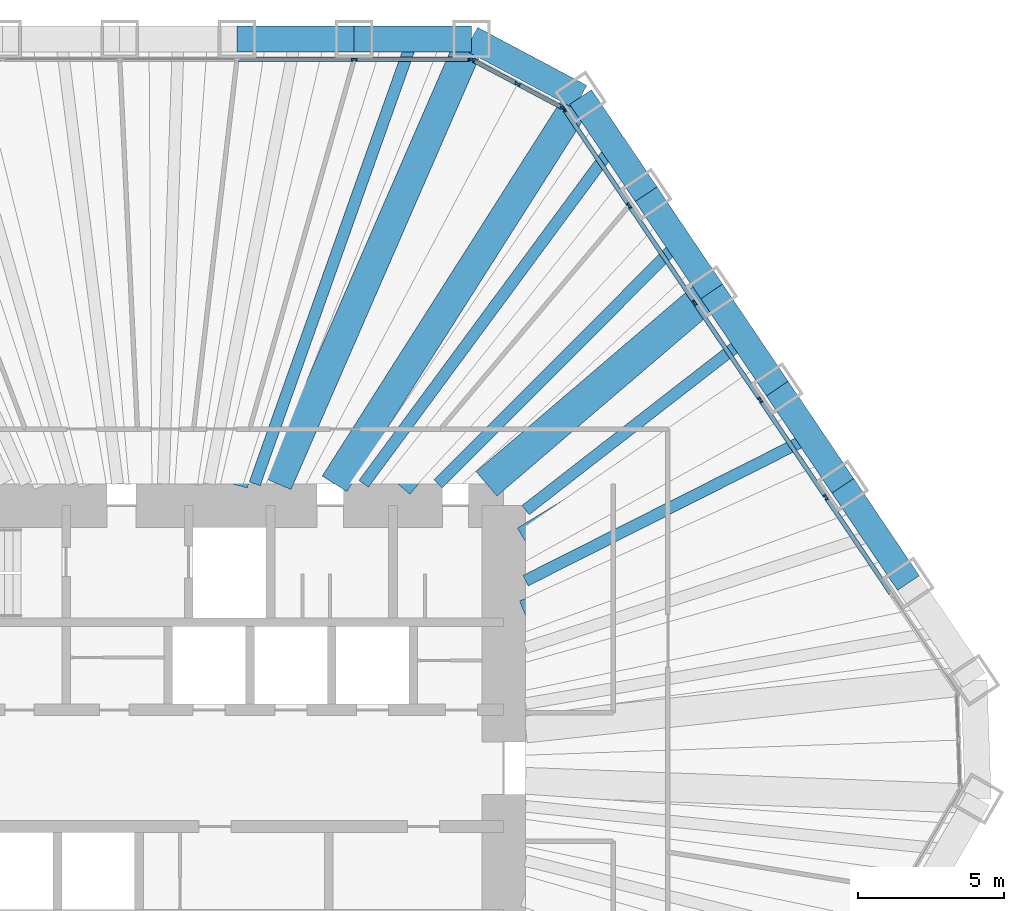
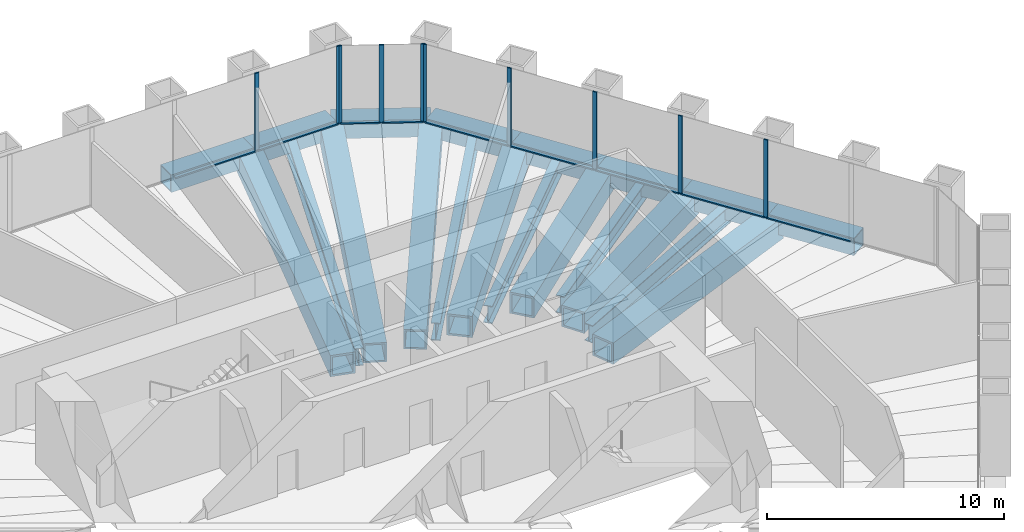
# One storey, part 6 of 12: 20 beams, 19 members, 3 elements without a shape of their own.
"""IFC4 building model written with IfcOpenShell, lengths in metres."""

from ifc_helpers import new_model, si_unit, direction, frame, origin, origin_2d, place, context, subcontext, project, spatial, rectangle, hollow_rectangle, i_section, extrude, material, material_profile, profile_set, type_object, element, aggregate, save


model = new_model("IFC4")

# Units and contexts
model_context = context("Model", 3, precision=1e-05, world=origin(), true_north=direction((0.0, 1.0)))
body_context = subcontext(model_context, "Body", "Model", "MODEL_VIEW")
ifc_project = project(units=[si_unit("LENGTHUNIT", "METRE"), si_unit("AREAUNIT", "SQUARE_METRE"), si_unit("VOLUMEUNIT", "CUBIC_METRE"), si_unit("PLANEANGLEUNIT", "RADIAN"), si_unit("MASSUNIT", "GRAM", prefix="KILO")], contexts=[model_context])

# Site, building, storey
site_placement = place(None, origin())
site = spatial("IfcSite", under=ifc_project, at=site_placement, CompositionType="ELEMENT")
building_placement = place(site_placement, origin())
building = spatial("IfcBuilding", under=site, at=building_placement, Name="Qingtian Harvest Tower", CompositionType="ELEMENT")
storey_placement = place(building_placement, frame((0.0, 0.0, 107.199951171875)))
storey = spatial("IfcBuildingStorey", under=building, at=storey_placement, Name="L21", CompositionType="ELEMENT", Elevation=107.199951171875)

# Beams
ifc_material_1 = material(Name="Steel SN490B", Category="steel")
ifc_material_profile_1 = material_profile(ifc_material_1, i_section(OverallWidth=0.39990234375, OverallDepth=0.89990234375, WebThickness=0.01904296875, FlangeThickness=0.035888671875, at=origin_2d()), Name="H900x400x19x36")
ifc_profile_set_1 = profile_set([ifc_material_profile_1], Name="Steel SN490B")
beam_type_1 = type_object("IfcBeamType", Name="Floor joist J4 H900x400x19x36", PredefinedType="JOIST", material=ifc_profile_set_1)
beam_1_placement = place(storey_placement, frame((8.88330078125, 25.0, -0.619873046875), z_axis=(-0.334829909573, -0.94227858495, 0.0), x_axis=(0.94227858495, -0.334829909573, 0.0)))
element("IfcBeam", 1, at=beam_1_placement, inside=storey, type_object=beam_type_1, Name="Floor joist J4 N5", PredefinedType="JOIST", context=body_context, shape_type="SweptSolid", body=[
    extrude(i_section(OverallWidth=0.39990234375, OverallDepth=0.89990234375, WebThickness=0.01904296875, FlangeThickness=0.035888671875, at=origin_2d()), origin(), (0.0, 0.0, 1.0), 16.18408203125),
])
beam_2_placement = place(storey_placement, frame((15.758544921875, 21.34423828125, -0.619873046875), z_axis=(-0.593960386058, -0.804494288229, 0.0), x_axis=(0.804494288229, -0.593960386058, 0.0)))
element("IfcBeam", 2, at=beam_2_placement, inside=storey, type_object=beam_type_1, Name="Floor joist J4 NE0", PredefinedType="JOIST", context=body_context, shape_type="SweptSolid", body=[
    extrude(i_section(OverallWidth=0.39990234375, OverallDepth=0.89990234375, WebThickness=0.01904296875, FlangeThickness=0.035888671875, at=origin_2d()), origin(), (0.0, 0.0, 1.0), 14.411865234375),
])
beam_3_placement = place(storey_placement, frame((18.005859375, 18.012451171875, -0.619873046875), z_axis=(-0.706970932755, -0.707242603524, 0.0), x_axis=(0.707242603524, -0.706970932755, 0.0)))
element("IfcBeam", 3, at=beam_3_placement, inside=storey, type_object=beam_type_1, Name="Floor joist J4 NE1", PredefinedType="JOIST", context=body_context, shape_type="SweptSolid", body=[
    extrude(i_section(OverallWidth=0.39990234375, OverallDepth=0.89990234375, WebThickness=0.01904296875, FlangeThickness=0.035888671875, at=origin_2d()), origin(), (0.0, 0.0, 1.0), 11.6826171875),
])
beam_4_placement = place(storey_placement, frame((20.25341796875, 14.680419921875, -0.619873046875), z_axis=(-0.789641272199, -0.61356879096, 0.0), x_axis=(0.61356879096, -0.789641272199, 0.0)))
element("IfcBeam", 4, at=beam_4_placement, inside=storey, type_object=beam_type_1, Name="Floor joist J4 NE2", PredefinedType="JOIST", context=body_context, shape_type="SweptSolid", body=[
    extrude(i_section(OverallWidth=0.39990234375, OverallDepth=0.89990234375, WebThickness=0.01904296875, FlangeThickness=0.035888671875, at=origin_2d()), origin(), (0.0, 0.0, 1.0), 9.502197265625),
])
beam_5_placement = place(storey_placement, frame((22.500732421875, 11.348388671875, -0.619873046875), z_axis=(-0.892861323685, -0.450331718478, 0.0), x_axis=(0.450331718478, -0.892861323685, 0.0)))
element("IfcBeam", 5, at=beam_5_placement, inside=storey, type_object=beam_type_1, Name="Floor joist J4 NE3", PredefinedType="JOIST", context=body_context, shape_type="SweptSolid", body=[
    extrude(i_section(OverallWidth=0.39990234375, OverallDepth=0.89990234375, WebThickness=0.01904296875, FlangeThickness=0.035888671875, at=origin_2d()), origin(), (0.0, 0.0, 1.0), 10.920654296875),
])

# Curtain wall, members
ifc_material_2 = material(Name="Bronze-anodised aluminium curtain wall", Category="aluminium")
curtain_wall_type = type_object("IfcCurtainWallType", Name="Curtain wall CW4 office", PredefinedType="USERDEFINED", material=ifc_material_2)
curtain_wall_1_placement = place(storey_placement, origin())
curtain_wall_1 = element("IfcCurtainWall", 6, at=curtain_wall_1_placement, inside=storey, type_object=curtain_wall_type, Name="Curtain wall CW4 L21 N0-5", ObjectType="RECESSED CURTAIN WALL", PredefinedType="USERDEFINED")
ifc_material_3 = material(Name="Bronze-anodised aluminium mullion", Category="aluminium")
ifc_material_profile_2 = material_profile(ifc_material_3, rectangle(XDim=0.06494140625, YDim=0.199951171875, at=origin_2d()), Name="AL 65x200")
ifc_profile_set_2 = profile_set([ifc_material_profile_2], Name="Bronze-anodised aluminium mullion")
member_type_1 = type_object("IfcMemberType", Name="Mullion CWM 65x200", PredefinedType="MULLION", material=ifc_profile_set_2)
member_1_placement = place(storey_placement, frame((6.873779296875, 24.300048828125, 0.0), z_axis=(0.0, 0.0, 1.0), x_axis=(0.0, 1.0, 0.0)))
member_1 = element("IfcMember", 7, at=member_1_placement, type_object=member_type_1, Name="CW4 mullion 6", PredefinedType="MULLION", context=body_context, shape_type="SweptSolid", body=[
    extrude(rectangle(XDim=0.06494140625, YDim=0.199951171875, at=origin_2d()), origin(), (0.0, 0.0, 1.0), 4.030029296875),
])
member_2_placement = place(storey_placement, frame((10.8603515625, 24.300048828125, 0.0), z_axis=(0.0, 0.0, 1.0), x_axis=(0.0, 1.0, 0.0)))
member_2 = element("IfcMember", 8, at=member_2_placement, type_object=member_type_1, Name="CW4 mullion 7", PredefinedType="MULLION", context=body_context, shape_type="SweptSolid", body=[
    extrude(rectangle(XDim=0.06494140625, YDim=0.199951171875, at=origin_2d()), origin(), (0.0, 0.0, 1.0), 4.030029296875),
])

curtain_wall_2_placement = place(storey_placement, origin())
curtain_wall_2 = element("IfcCurtainWall", 9, at=curtain_wall_2_placement, inside=storey, type_object=curtain_wall_type, Name="Curtain wall CW4 L21 NC", ObjectType="RECESSED CURTAIN WALL", PredefinedType="USERDEFINED")
member_3_placement = place(storey_placement, frame((10.92138671875, 24.28466796875, 0.0), z_axis=(0.0, 0.0, 1.0), x_axis=(0.469471562786, 0.882947592859, 0.0)))
member_3 = element("IfcMember", 10, at=member_3_placement, type_object=member_type_1, Name="CW4 mullion 1", PredefinedType="MULLION", context=body_context, shape_type="SweptSolid", body=[
    extrude(rectangle(XDim=0.06494140625, YDim=0.199951171875, at=origin_2d()), origin(), (0.0, 0.0, 1.0), 4.030029296875),
])
member_4_placement = place(storey_placement, frame((12.4736328125, 23.45947265625, 0.0), z_axis=(0.0, 0.0, 1.0), x_axis=(0.469471562786, 0.882947592859, 0.0)))
member_4 = element("IfcMember", 11, at=member_4_placement, type_object=member_type_1, Name="CW4 mullion 2", PredefinedType="MULLION", context=body_context, shape_type="SweptSolid", body=[
    extrude(rectangle(XDim=0.06494140625, YDim=0.199951171875, at=origin_2d()), origin(), (0.0, 0.0, 1.0), 4.030029296875),
])
member_5_placement = place(storey_placement, frame((14.02587890625, 22.634033203125, 0.0), z_axis=(0.0, 0.0, 1.0), x_axis=(0.469471562786, 0.882947592859, 0.0)))
member_5 = element("IfcMember", 12, at=member_5_placement, type_object=member_type_1, Name="CW4 mullion 3", PredefinedType="MULLION", context=body_context, shape_type="SweptSolid", body=[
    extrude(rectangle(XDim=0.06494140625, YDim=0.199951171875, at=origin_2d()), origin(), (0.0, 0.0, 1.0), 4.030029296875),
])

curtain_wall_3_placement = place(storey_placement, origin())
curtain_wall_3 = element("IfcCurtainWall", 13, at=curtain_wall_3_placement, inside=storey, type_object=curtain_wall_type, Name="Curtain wall CW4 L21 NE0-5", ObjectType="RECESSED CURTAIN WALL", PredefinedType="USERDEFINED")
member_6_placement = place(storey_placement, frame((14.07275390625, 22.592041015625, 0.0), z_axis=(0.0, 0.0, 1.0), x_axis=(0.829037572555, 0.559192903471, 0.0)))
member_6 = element("IfcMember", 14, at=member_6_placement, type_object=member_type_1, Name="CW4 mullion 1", PredefinedType="MULLION", context=body_context, shape_type="SweptSolid", body=[
    extrude(rectangle(XDim=0.06494140625, YDim=0.199951171875, at=origin_2d()), origin(), (0.0, 0.0, 1.0), 4.030029296875),
])
member_7_placement = place(storey_placement, frame((16.302001953125, 19.286865234375, 0.0), z_axis=(0.0, 0.0, 1.0), x_axis=(0.829037572555, 0.559192903471, 0.0)))
member_7 = element("IfcMember", 15, at=member_7_placement, type_object=member_type_1, Name="CW4 mullion 2", PredefinedType="MULLION", context=body_context, shape_type="SweptSolid", body=[
    extrude(rectangle(XDim=0.06494140625, YDim=0.199951171875, at=origin_2d()), origin(), (0.0, 0.0, 1.0), 4.030029296875),
])
member_8_placement = place(storey_placement, frame((18.54931640625, 15.954833984375, 0.0), z_axis=(0.0, 0.0, 1.0), x_axis=(0.829037572555, 0.559192903471, 0.0)))
member_8 = element("IfcMember", 16, at=member_8_placement, type_object=member_type_1, Name="CW4 mullion 3", PredefinedType="MULLION", context=body_context, shape_type="SweptSolid", body=[
    extrude(rectangle(XDim=0.06494140625, YDim=0.199951171875, at=origin_2d()), origin(), (0.0, 0.0, 1.0), 4.030029296875),
])
member_9_placement = place(storey_placement, frame((20.796875, 12.623046875, 0.0), z_axis=(0.0, 0.0, 1.0), x_axis=(0.829037572555, 0.559192903471, 0.0)))
member_9 = element("IfcMember", 17, at=member_9_placement, type_object=member_type_1, Name="CW4 mullion 4", PredefinedType="MULLION", context=body_context, shape_type="SweptSolid", body=[
    extrude(rectangle(XDim=0.06494140625, YDim=0.199951171875, at=origin_2d()), origin(), (0.0, 0.0, 1.0), 4.030029296875),
])
member_10_placement = place(storey_placement, frame((23.044189453125, 9.291015625, 0.0), z_axis=(0.0, 0.0, 1.0), x_axis=(0.829037572555, 0.559192903471, 0.0)))
member_10 = element("IfcMember", 18, at=member_10_placement, type_object=member_type_1, Name="CW4 mullion 5", PredefinedType="MULLION", context=body_context, shape_type="SweptSolid", body=[
    extrude(rectangle(XDim=0.06494140625, YDim=0.199951171875, at=origin_2d()), origin(), (0.0, 0.0, 1.0), 4.030029296875),
])

# Beams
ifc_material_4 = material(Name="Steel SM570MC", Category="steel")
ifc_material_profile_3 = material_profile(ifc_material_4, hollow_rectangle(XDim=1.0, YDim=1.0, WallThickness=0.080078125, at=origin_2d()), Name="BOX1000x1000x80")
ifc_profile_set_3 = profile_set([ifc_material_profile_3], Name="Steel SM570MC")
beam_type_2 = type_object("IfcBeamType", Name="Transfer corner beam FB11 BOX1000x1000x80", PredefinedType="BEAM", material=ifc_profile_set_3)
beam_6_placement = place(storey_placement, frame((10.892822265625, 25.0, -0.669921875), z_axis=(-0.399451016538, -0.916754539333, 0.0), x_axis=(0.916754539333, -0.399451016538, 0.0)))
element("IfcBeam", 19, at=beam_6_placement, inside=storey, type_object=beam_type_2, Name="Floor beam FB11 N6", PredefinedType="BEAM", context=body_context, shape_type="SweptSolid", body=[
    extrude(hollow_rectangle(XDim=1.0, YDim=1.0, WallThickness=0.080078125, at=origin_2d()), origin(), (0.0, 0.0, 1.0), 16.634765625),
])
beam_7_placement = place(storey_placement, frame((14.634765625, 23.01025390625, -0.669921875), z_axis=(-0.536660352939, -0.843798355997, 0.0), x_axis=(0.843798355997, -0.536660352939, 0.0)))
element("IfcBeam", 20, at=beam_7_placement, inside=storey, type_object=beam_type_2, Name="Floor beam FB11 NE0", PredefinedType="BEAM", context=body_context, shape_type="SweptSolid", body=[
    extrude(hollow_rectangle(XDim=1.0, YDim=1.0, WallThickness=0.080078125, at=origin_2d()), origin(), (0.0, 0.0, 1.0), 15.71484375),
])
ifc_material_5 = material(Name="Steel SM570MC", Category="steel")
ifc_material_profile_4 = material_profile(ifc_material_5, hollow_rectangle(XDim=1.10009765625, YDim=1.10009765625, WallThickness=0.10009765625, at=origin_2d()), Name="BOX1100x1100x100")
ifc_profile_set_4 = profile_set([ifc_material_profile_4], Name="Steel SM570MC")
beam_type_3 = type_object("IfcBeamType", Name="Transfer floor beam FB9 BOX1100x1100x100", PredefinedType="BEAM", material=ifc_profile_set_4)
beam_8_placement = place(storey_placement, frame((6.873779296875, 25.0, -0.719970703125), z_axis=(-0.265119170108, -0.964215653078, 0.0), x_axis=(0.964215653078, -0.265119170108, 0.0)))
element("IfcBeam", 21, at=beam_8_placement, inside=storey, type_object=beam_type_3, Name="Floor beam FB9 N5", PredefinedType="BEAM", context=body_context, shape_type="SweptSolid", body=[
    extrude(hollow_rectangle(XDim=1.10009765625, YDim=1.10009765625, WallThickness=0.10009765625, at=origin_2d()), origin(), (0.0, 0.0, 1.0), 15.81591796875),
])
beam_9_placement = place(storey_placement, frame((16.88232421875, 19.67822265625, -0.719970703125), z_axis=(-0.651140196702, -0.758957471957, 0.0), x_axis=(0.758957471957, -0.651140196702, 0.0)))
element("IfcBeam", 22, at=beam_9_placement, inside=storey, type_object=beam_type_3, Name="Floor beam FB9 NE1", PredefinedType="BEAM", context=body_context, shape_type="SweptSolid", body=[
    extrude(hollow_rectangle(XDim=1.10009765625, YDim=1.10009765625, WallThickness=0.10009765625, at=origin_2d()), origin(), (0.0, 0.0, 1.0), 13.081298828125),
])
beam_10_placement = place(storey_placement, frame((19.129638671875, 16.346435546875, -0.719970703125), z_axis=(-0.760241810635, -0.649640199928, 0.0), x_axis=(0.649640199928, -0.760241810635, 0.0)))
element("IfcBeam", 23, at=beam_10_placement, inside=storey, type_object=beam_type_3, Name="Floor beam FB9 NE2", PredefinedType="BEAM", context=body_context, shape_type="SweptSolid", body=[
    extrude(hollow_rectangle(XDim=1.10009765625, YDim=1.10009765625, WallThickness=0.10009765625, at=origin_2d()), origin(), (0.0, 0.0, 1.0), 10.154052734375),
])
beam_11_placement = place(storey_placement, frame((21.377197265625, 13.014404296875, -0.719970703125), z_axis=(-0.854160745245, -0.520009058846, 0.0), x_axis=(0.520009058846, -0.854160745245, 0.0)))
element("IfcBeam", 24, at=beam_11_placement, inside=storey, type_object=beam_type_3, Name="Floor beam FB9 NE3", PredefinedType="BEAM", context=body_context, shape_type="SweptSolid", body=[
    extrude(hollow_rectangle(XDim=1.10009765625, YDim=1.10009765625, WallThickness=0.10009765625, at=origin_2d()), origin(), (0.0, 0.0, 1.0), 10.10009765625),
])
beam_12_placement = place(storey_placement, frame((23.62451171875, 9.682373046875, -0.719970703125), z_axis=(-0.925304541163, -0.379224875375, 0.0), x_axis=(0.379224875375, -0.925304541163, 0.0)))
element("IfcBeam", 25, at=beam_12_placement, inside=storey, type_object=beam_type_3, Name="Floor beam FB9 NE4", PredefinedType="BEAM", context=body_context, shape_type="SweptSolid", body=[
    extrude(hollow_rectangle(XDim=1.10009765625, YDim=1.10009765625, WallThickness=0.10009765625, at=origin_2d()), origin(), (0.0, 0.0, 1.0), 11.75244140625),
])
ifc_material_6 = material(Name="Steel SM570MC", Category="steel")
ifc_material_profile_5 = material_profile(ifc_material_6, hollow_rectangle(XDim=0.89990234375, YDim=0.89990234375, WallThickness=0.050048828125, at=origin_2d()), Name="BOX900x900x50")
ifc_profile_set_5 = profile_set([ifc_material_profile_5], Name="Steel SM570MC")
beam_type_4 = type_object("IfcBeamType", Name="Transition spandrel SB6 BOX900x900x50", PredefinedType="SPANDREL", material=ifc_profile_set_5)
beam_13_placement = place(storey_placement, frame((2.8544921875, 25.0, -0.449951171875), z_axis=(1.0, 0.0, 0.0), x_axis=(0.0, 1.0, 0.0)))
element("IfcBeam", 26, at=beam_13_placement, inside=storey, type_object=beam_type_4, Name="Spandrel SB6 N4", PredefinedType="SPANDREL", context=body_context, shape_type="SweptSolid", body=[
    extrude(hollow_rectangle(XDim=0.89990234375, YDim=0.89990234375, WallThickness=0.050048828125, at=origin_2d()), origin(), (0.0, 0.0, 1.0), 4.019287109375),
])
beam_14_placement = place(storey_placement, frame((6.873779296875, 25.0, -0.449951171875), z_axis=(1.0, 0.0, 0.0), x_axis=(0.0, 1.0, 0.0)))
element("IfcBeam", 27, at=beam_14_placement, inside=storey, type_object=beam_type_4, Name="Spandrel SB6 N5", PredefinedType="SPANDREL", context=body_context, shape_type="SweptSolid", body=[
    extrude(hollow_rectangle(XDim=0.89990234375, YDim=0.89990234375, WallThickness=0.050048828125, at=origin_2d()), origin(), (0.0, 0.0, 1.0), 4.01904296875),
])
beam_15_placement = place(storey_placement, frame((10.892822265625, 25.0, -0.449951171875), z_axis=(0.882935902835, -0.469493547863, 0.0), x_axis=(0.469493547863, 0.882935902835, 0.0)))
element("IfcBeam", 28, at=beam_15_placement, inside=storey, type_object=beam_type_4, Name="Spandrel SB6 NC", PredefinedType="SPANDREL", context=body_context, shape_type="SweptSolid", body=[
    extrude(hollow_rectangle(XDim=0.89990234375, YDim=0.89990234375, WallThickness=0.050048828125, at=origin_2d()), origin(), (0.0, 0.0, 1.0), 4.238037109375),
])
beam_16_placement = place(storey_placement, frame((14.634765625, 23.01025390625, -0.449951171875), z_axis=(0.559205752254, -0.829028905796, 0.0), x_axis=(0.829028905796, 0.559205752254, 0.0)))
element("IfcBeam", 29, at=beam_16_placement, inside=storey, type_object=beam_type_4, Name="Spandrel SB6 NE0", PredefinedType="SPANDREL", context=body_context, shape_type="SweptSolid", body=[
    extrude(hollow_rectangle(XDim=0.89990234375, YDim=0.89990234375, WallThickness=0.050048828125, at=origin_2d()), origin(), (0.0, 0.0, 1.0), 4.019287109375),
])
beam_17_placement = place(storey_placement, frame((16.88232421875, 19.67822265625, -0.449951171875), z_axis=(0.55919216322, -0.82903807186, 0.0), x_axis=(0.82903807186, 0.55919216322, 0.0)))
element("IfcBeam", 30, at=beam_17_placement, inside=storey, type_object=beam_type_4, Name="Spandrel SB6 NE1", PredefinedType="SPANDREL", context=body_context, shape_type="SweptSolid", body=[
    extrude(hollow_rectangle(XDim=0.89990234375, YDim=0.89990234375, WallThickness=0.050048828125, at=origin_2d()), origin(), (0.0, 0.0, 1.0), 4.018798828125),
])
beam_18_placement = place(storey_placement, frame((19.129638671875, 16.346435546875, -0.449951171875), z_axis=(0.559205752254, -0.829028905796, 0.0), x_axis=(0.829028905796, 0.559205752254, 0.0)))
element("IfcBeam", 31, at=beam_18_placement, inside=storey, type_object=beam_type_4, Name="Spandrel SB6 NE2", PredefinedType="SPANDREL", context=body_context, shape_type="SweptSolid", body=[
    extrude(hollow_rectangle(XDim=0.89990234375, YDim=0.89990234375, WallThickness=0.050048828125, at=origin_2d()), origin(), (0.0, 0.0, 1.0), 4.019287109375),
])
for number, where, z_axis, x_axis, name in (
    (32, (21.377197265625, 13.014404296875, -0.449951171875), (0.55916400171, -0.829057066306, 0.0), (0.829057066306, 0.55916400171, 0.0), "Spandrel SB6 NE3"),
    (33, (23.62451171875, 9.682373046875, -0.449951171875), (0.559233913953, -0.829009909159, 0.0), (0.829009909159, 0.559233913953, 0.0), "Spandrel SB6 NE4"),
):
    element("IfcBeam", number, at=place(storey_placement, frame(where, z_axis=z_axis, x_axis=x_axis)), inside=storey, type_object=beam_type_4, Name=name, PredefinedType="SPANDREL", context=body_context, shape_type="SweptSolid", body=[
        extrude(hollow_rectangle(XDim=0.89990234375, YDim=0.89990234375, WallThickness=0.050048828125, at=origin_2d()), origin(), (0.0, 0.0, 1.0), 4.01904296875),
    ])

# Member
ifc_material_7 = material(Name="Bronze-anodised aluminium transom", Category="aluminium")
ifc_material_profile_6 = material_profile(ifc_material_7, rectangle(XDim=0.14990234375, YDim=0.06494140625, at=origin_2d()), Name="AL 65x150")
ifc_profile_set_6 = profile_set([ifc_material_profile_6], Name="Bronze-anodised aluminium transom")
member_type_2 = type_object("IfcMemberType", Name="Transom CWT 65x150", PredefinedType="USERDEFINED", material=ifc_profile_set_6)
member_11_placement = place(storey_placement, frame((2.886962890625, 24.300048828125, 0.032470703125), z_axis=(1.0, 0.0, 0.0), x_axis=(0.0, 1.0, 0.0)))
member_11 = element("IfcMember", 34, at=member_11_placement, type_object=member_type_2, Name="CW4 transom 5.1", ObjectType="TRANSOM", PredefinedType="USERDEFINED", context=body_context, shape_type="SweptSolid", body=[
    extrude(rectangle(XDim=0.14990234375, YDim=0.06494140625, at=origin_2d()), origin(), (0.0, 0.0, 1.0), 3.9541015625),
])

member_12_placement = place(storey_placement, frame((6.90625, 24.300048828125, 0.032470703125), z_axis=(1.0, 0.0, 0.0), x_axis=(0.0, 1.0, 0.0)))
member_12 = element("IfcMember", 35, at=member_12_placement, type_object=member_type_2, Name="CW4 transom 6.1", ObjectType="TRANSOM", PredefinedType="USERDEFINED", context=body_context, shape_type="SweptSolid", body=[
    extrude(rectangle(XDim=0.14990234375, YDim=0.06494140625, at=origin_2d()), origin(), (0.0, 0.0, 1.0), 3.92138671875),
])

aggregate(curtain_wall_1, [member_1, member_2, member_11, member_12])

member_13_placement = place(storey_placement, frame((10.9501953125, 24.26953125, 0.032470703125), z_axis=(0.882895287784, -0.469569921108, 0.0), x_axis=(0.469569921108, 0.882895287784, 0.0)))
member_13 = element("IfcMember", 36, at=member_13_placement, type_object=member_type_2, Name="CW4 transom 1.1", ObjectType="TRANSOM", PredefinedType="USERDEFINED", context=body_context, shape_type="SweptSolid", body=[
    extrude(rectangle(XDim=0.14990234375, YDim=0.06494140625, at=origin_2d()), origin(), (0.0, 0.0, 1.0), 1.69287109375),
])

member_14_placement = place(storey_placement, frame((12.502197265625, 23.444091796875, 0.032470703125), z_axis=(0.882986854304, -0.469397715297, 0.0), x_axis=(0.469397715297, 0.882986854304, 0.0)))
member_14 = element("IfcMember", 37, at=member_14_placement, type_object=member_type_2, Name="CW4 transom 2.1", ObjectType="TRANSOM", PredefinedType="USERDEFINED", context=body_context, shape_type="SweptSolid", body=[
    extrude(rectangle(XDim=0.14990234375, YDim=0.06494140625, at=origin_2d()), origin(), (0.0, 0.0, 1.0), 1.69287109375),
])

aggregate(curtain_wall_2, [member_3, member_4, member_5, member_13, member_14])

member_15_placement = place(storey_placement, frame((14.0908203125, 22.56494140625, 0.032470703125), z_axis=(0.55920336949, -0.82903051304, 0.0), x_axis=(0.82903051304, 0.55920336949, 0.0)))
member_15 = element("IfcMember", 38, at=member_15_placement, type_object=member_type_2, Name="CW4 transom 1.1", ObjectType="TRANSOM", PredefinedType="USERDEFINED", context=body_context, shape_type="SweptSolid", body=[
    extrude(rectangle(XDim=0.14990234375, YDim=0.06494140625, at=origin_2d()), origin(), (0.0, 0.0, 1.0), 3.92138671875),
])

member_16_placement = place(storey_placement, frame((16.320068359375, 19.260009765625, 0.032470703125), z_axis=(0.55920878069, -0.829026863014, 0.0), x_axis=(0.829026863014, 0.55920878069, 0.0)))
member_16 = element("IfcMember", 39, at=member_16_placement, type_object=member_type_2, Name="CW4 transom 2.1", ObjectType="TRANSOM", PredefinedType="USERDEFINED", context=body_context, shape_type="SweptSolid", body=[
    extrude(rectangle(XDim=0.14990234375, YDim=0.06494140625, at=origin_2d()), origin(), (0.0, 0.0, 1.0), 3.9541015625),
])

member_17_placement = place(storey_placement, frame((18.567626953125, 15.927978515625, 0.032470703125), z_axis=(0.559166343236, -0.82905548704, 0.0), x_axis=(0.82905548704, 0.559166343236, 0.0)))
member_17 = element("IfcMember", 40, at=member_17_placement, type_object=member_type_2, Name="CW4 transom 3.1", ObjectType="TRANSOM", PredefinedType="USERDEFINED", context=body_context, shape_type="SweptSolid", body=[
    extrude(rectangle(XDim=0.14990234375, YDim=0.06494140625, at=origin_2d()), origin(), (0.0, 0.0, 1.0), 3.9541015625),
])

member_18_placement = place(storey_placement, frame((20.81494140625, 12.595947265625, 0.032470703125), z_axis=(0.55920878069, -0.829026863014, 0.0), x_axis=(0.829026863014, 0.55920878069, 0.0)))
member_18 = element("IfcMember", 41, at=member_18_placement, type_object=member_type_2, Name="CW4 transom 4.1", ObjectType="TRANSOM", PredefinedType="USERDEFINED", context=body_context, shape_type="SweptSolid", body=[
    extrude(rectangle(XDim=0.14990234375, YDim=0.06494140625, at=origin_2d()), origin(), (0.0, 0.0, 1.0), 3.9541015625),
])

member_19_placement = place(storey_placement, frame((23.0625, 9.26416015625, 0.032470703125), z_axis=(0.559166343236, -0.82905548704, 0.0), x_axis=(0.82905548704, 0.559166343236, 0.0)))
member_19 = element("IfcMember", 42, at=member_19_placement, type_object=member_type_2, Name="CW4 transom 5.1", ObjectType="TRANSOM", PredefinedType="USERDEFINED", context=body_context, shape_type="SweptSolid", body=[
    extrude(rectangle(XDim=0.14990234375, YDim=0.06494140625, at=origin_2d()), origin(), (0.0, 0.0, 1.0), 3.9541015625),
])

aggregate(curtain_wall_3, [member_6, member_7, member_8, member_9, member_10, member_15, member_16, member_17, member_18, member_19])

save(model, "model.ifc")
